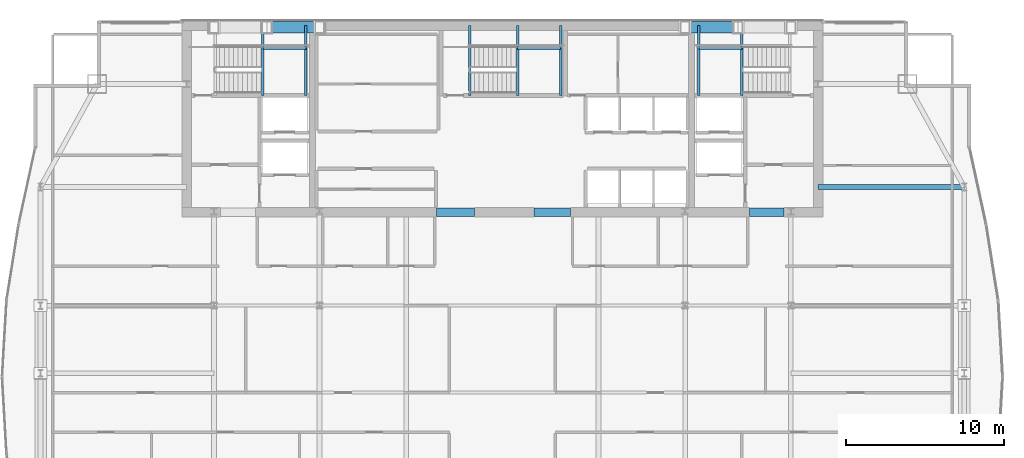
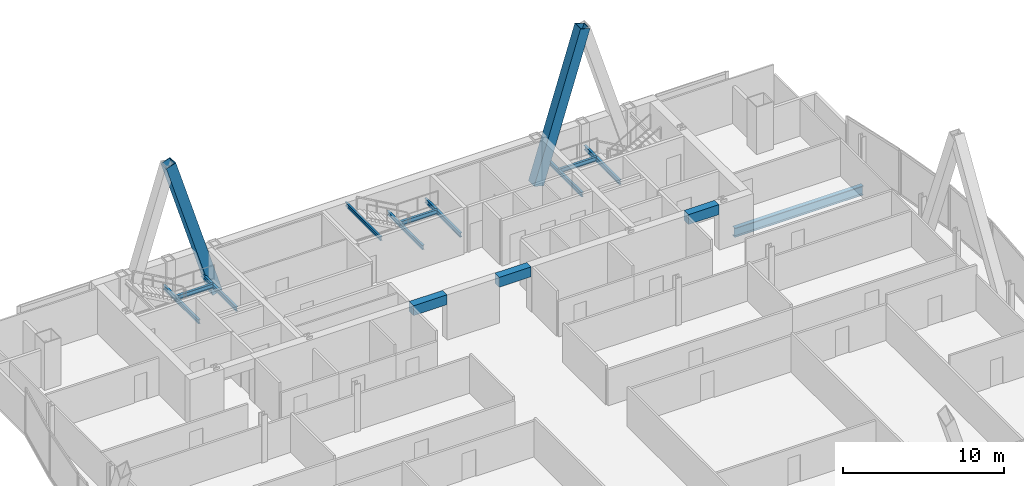
# One storey, part 24 of 33: 14 beams, 2 members.
"""IFC4 building model written with IfcOpenShell, lengths in metres."""

import ifcopenshell
import ifcopenshell.guid

model = None  # the IFC model being written
_history = None  # IfcOwnerHistory: only IFC2X3 demands one
_inside = {}  # id of a spatial element -> (the spatial element, [elements in it])
_under = {}  # id of a project, library or spatial element -> (it, [spatial elements below it])
_declared = {}  # id of a project -> (the project, [libraries it declares])
_typed = {}  # id of a type object -> (the type object, [elements of that type])
_made_of = {}  # id of a material, layer set ... -> (it, [elements and type objects made of it])


def new_model(schema):
    """Start an empty IFC model of exactly this schema.

    Asked for "IFC4X3", IfcOpenShell would pick the latest addendum, in which some entities
    have other attributes; the version numbers below select the first issue.
    IFC2X3 requires an IfcOwnerHistory on every rooted entity: one is made here for all.
    """
    global model, _history
    if schema == "IFC4X3":
        model = ifcopenshell.file(schema_version=(4, 3, 0, 0))
    else:
        model = ifcopenshell.file(schema=schema)
    _inside.clear()
    _under.clear()
    _declared.clear()
    _typed.clear()
    _made_of.clear()
    _history = None
    if model.schema == "IFC2X3":
        org = make("IfcOrganization", Name="unknown")
        user = make(
            "IfcPersonAndOrganization",
            ThePerson=make("IfcPerson", FamilyName="unknown"),
            TheOrganization=org,
        )
        app = make(
            "IfcApplication",
            ApplicationDeveloper=org,
            Version="unknown",
            ApplicationFullName="unknown",
            ApplicationIdentifier="unknown",
        )
        _history = make(
            "IfcOwnerHistory",
            OwningUser=user,
            OwningApplication=app,
            ChangeAction="ADDED",
            CreationDate=0,
        )
    return model


def make(cls, **values):
    """One entity of the class cls with the attributes given. An attribute that is None is left unset."""
    return model.create_entity(
        cls, **{name: value for name, value in values.items() if value is not None}
    )


def rooted(cls, **values):
    """An entity with a GlobalId (a new one), such as an element, a storey or a relation."""
    return make(cls, GlobalId=ifcopenshell.guid.new(), OwnerHistory=_history, **values)


def si_unit(unit_type, name, prefix=None):
    """IfcSIUnit, for example si_unit("LENGTHUNIT", "METRE", prefix="MILLI")."""
    return make("IfcSIUnit", UnitType=unit_type, Prefix=prefix, Name=name)


def assignment(units):
    """IfcUnitAssignment: the units of a project."""
    return None if units is None else make("IfcUnitAssignment", Units=units)


def point(xyz):
    """IfcCartesianPoint."""
    return None if xyz is None else make("IfcCartesianPoint", Coordinates=xyz)


def direction(xyz):
    """IfcDirection."""
    return None if xyz is None else make("IfcDirection", DirectionRatios=xyz)


def frame(location, z_axis=None, x_axis=None):
    """IfcAxis2Placement3D, a coordinate frame: its origin and axes. An axis left out is left unset."""
    return make(
        "IfcAxis2Placement3D",
        Location=point(location),
        Axis=direction(z_axis),
        RefDirection=direction(x_axis),
    )


def frame_2d(location, x_axis=None):
    """IfcAxis2Placement2D, a coordinate frame in the plane: its origin and x axis."""
    return make(
        "IfcAxis2Placement2D", Location=point(location), RefDirection=direction(x_axis)
    )


def origin():
    """The frame at (0, 0, 0) with its axes left unset."""
    return frame((0.0, 0.0, 0.0))


def origin_2d():
    """The frame at (0, 0) in the plane with its x axis left unset."""
    return frame_2d((0.0, 0.0))


def place(relative_to, where):
    """IfcLocalPlacement: puts the frame where relative to a parent placement (None: the world)."""
    return make(
        "IfcLocalPlacement", PlacementRelTo=relative_to, RelativePlacement=where
    )


def context(
    kind, dimensions, precision=None, world=None, true_north=None, identifier=None
):
    """IfcGeometricRepresentationContext, for example the 3D "Model" context."""
    return make(
        "IfcGeometricRepresentationContext",
        ContextIdentifier=identifier,
        ContextType=kind,
        CoordinateSpaceDimension=dimensions,
        Precision=precision,
        WorldCoordinateSystem=world,
        TrueNorth=true_north,
    )


def subcontext(parent, identifier, kind, view, scale=None):
    """IfcGeometricRepresentationSubContext, for example "Body" below "Model"."""
    return make(
        "IfcGeometricRepresentationSubContext",
        ContextIdentifier=identifier,
        ContextType=kind,
        ParentContext=parent,
        TargetScale=scale,
        TargetView=view,
    )


def project(units=None, contexts=None):
    """IfcProject with its units and contexts."""
    return rooted(
        "IfcProject",
        Name="project",
        RepresentationContexts=contexts,
        UnitsInContext=assignment(units),
    )


def spatial(cls, under=None, at=None, **own):
    """A site, building, storey or space (cls), placed at a placement, below another one or the project."""
    s = rooted(cls, ObjectPlacement=at, **own)
    if under is not None:
        _under.setdefault(under.id(), (under, []))[1].append(s)
    return s


def profile(cls, at=None, kind="AREA", **sizes):
    """A parametric profile (cls). Its sizes go by their IFC names, for example OverallWidth=200.0."""
    return make(cls, ProfileType=kind, Position=at, **sizes)


def rectangle(**sizes):
    """IfcRectangleProfileDef."""
    return profile("IfcRectangleProfileDef", **sizes)


def hollow_rectangle(**sizes):
    """IfcRectangleHollowProfileDef."""
    return profile("IfcRectangleHollowProfileDef", **sizes)


def i_section(**sizes):
    """IfcIShapeProfileDef."""
    return profile("IfcIShapeProfileDef", **sizes)


def extrude(swept, where, along, depth):
    """IfcExtrudedAreaSolid: the profile swept, set in the frame where, extruded along a direction by depth."""
    return make(
        "IfcExtrudedAreaSolid",
        SweptArea=swept,
        Position=where,
        ExtrudedDirection=direction(along),
        Depth=depth,
    )


def shape(context_of_items, identifier, shape_type, items):
    """IfcShapeRepresentation: the items that make up one representation, for example the "Body"."""
    return make(
        "IfcShapeRepresentation",
        ContextOfItems=context_of_items,
        RepresentationIdentifier=identifier,
        RepresentationType=shape_type,
        Items=items,
    )


def material(Name=None, Category=None):
    """IfcMaterial."""
    return make("IfcMaterial", Name=Name, Category=Category)


def material_profile(
    of_material, cross_section, Name=None, Category=None, Priority=None
):
    """IfcMaterialProfile: a cross section and its material."""
    return make(
        "IfcMaterialProfile",
        Name=Name,
        Material=of_material,
        Profile=cross_section,
        Priority=Priority,
        Category=Category,
    )


def profile_set(profiles, Name=None, composite=None):
    """IfcMaterialProfileSet."""
    return make(
        "IfcMaterialProfileSet",
        Name=Name,
        MaterialProfiles=profiles,
        CompositeProfile=composite,
    )


def made_of(thing, what):
    """Note that an element or type object is made of a material, layer set ...; save() writes the relation."""
    if what is not None:
        _made_of.setdefault(what.id(), (what, []))[1].append(thing)
    return thing


def type_object(cls, material=None, **own):
    """A type object (cls), such as IfcWallType, which elements share."""
    return made_of(rooted(cls, **own), material)


def element(
    cls,
    number,
    at=None,
    inside=None,
    cuts=None,
    type_object=None,
    material=None,
    context=None,
    identifier="Body",
    shape_type=None,
    held_by="IfcProductDefinitionShape",
    body=None,
    shapes=None,
    **own,
):
    """One element of the class cls, such as IfcWall. Its Tag is "e" and its number.

    at: its placement. inside: the storey or other place that contains it. cuts: it is an
    opening in that element (IfcRelVoidsElement). A single representation is given by context,
    identifier, shape_type and body (its items); several are given by shapes. held_by: the class
    of the entity that holds the representations. save() writes the other relations.
    """
    e = rooted(cls, Tag="e%d" % number, ObjectPlacement=at, **own)
    if body is not None:
        shapes = [shape(context, identifier, shape_type, body)]
    if shapes is not None:
        e.Representation = make(held_by, Representations=shapes)
    if inside is not None:
        _inside.setdefault(inside.id(), (inside, []))[1].append(e)
    if cuts is not None:
        rooted(
            "IfcRelVoidsElement", RelatingBuildingElement=cuts, RelatedOpeningElement=e
        )
    if type_object is not None:
        _typed.setdefault(type_object.id(), (type_object, []))[1].append(e)
    return made_of(e, material)


def aggregate(whole, parts):
    """IfcRelAggregates: a whole, such as a stair, and the parts it consists of."""
    return rooted("IfcRelAggregates", RelatingObject=whole, RelatedObjects=parts)


def save(model, path):
    """Write the relations noted so far, then the file.

    IfcRelAggregates (storeys below a building ...), IfcRelContainedInSpatialStructure (elements
    in a storey), IfcRelDefinesByType, IfcRelAssociatesMaterial and IfcRelDeclares: one each for
    every whole, place, type object, material and project.
    """
    for whole, parts in _under.values():
        aggregate(whole, parts)
    for where, things in _inside.values():
        rooted(
            "IfcRelContainedInSpatialStructure",
            RelatedElements=things,
            RelatingStructure=where,
        )
    for kind, things in _typed.values():
        rooted("IfcRelDefinesByType", RelatedObjects=things, RelatingType=kind)
    for what, things in _made_of.values():
        rooted("IfcRelAssociatesMaterial", RelatedObjects=things, RelatingMaterial=what)
    for by, libraries in _declared.values():
        rooted("IfcRelDeclares", RelatingContext=by, RelatedDefinitions=libraries)
    model.write(path)


model = new_model("IFC4")

# Units and contexts
model_context = context("Model", 3, precision=1e-05, world=origin(), true_north=direction((0.0, 1.0)))
body_context = subcontext(model_context, "Body", "Model", "MODEL_VIEW")
ifc_project = project(units=[si_unit("LENGTHUNIT", "METRE"), si_unit("AREAUNIT", "SQUARE_METRE"), si_unit("VOLUMEUNIT", "CUBIC_METRE"), si_unit("PLANEANGLEUNIT", "RADIAN"), si_unit("MASSUNIT", "GRAM", prefix="KILO")], contexts=[model_context])

# Site, building, storey
site_placement = place(None, origin())
site = spatial("IfcSite", under=ifc_project, at=site_placement, CompositionType="ELEMENT")
building_placement = place(site_placement, origin())
building = spatial("IfcBuilding", under=site, at=building_placement, Name="Khoronbel Lancet Exchange", CompositionType="ELEMENT")
storey_placement = place(building_placement, frame((0.0, 0.0, 210.199951171875)))
storey = spatial("IfcBuildingStorey", under=building, at=storey_placement, Name="L53", CompositionType="ELEMENT", Elevation=210.199951171875)

# Beams
ifc_material_1 = material(Name="Steel S355", Category="steel")
ifc_material_profile_1 = material_profile(ifc_material_1, i_section(OverallWidth=0.300048828125, OverallDepth=0.699951171875, WebThickness=0.01708984375, FlangeThickness=0.031982421875, at=origin_2d()), Name="HEB 700")
ifc_profile_set_1 = profile_set([ifc_material_profile_1], Name="Steel S355")
beam_type_1 = type_object("IfcBeamType", Name="BM-BG3", PredefinedType="BEAM", material=ifc_profile_set_1)
beam_1_placement = place(storey_placement, frame((56.39990234375, 43.199951171875, -0.510009765625), z_axis=(1.0, 0.0, 0.0), x_axis=(0.0, 1.0, 0.0)))
element("IfcBeam", 1, at=beam_1_placement, inside=storey, type_object=beam_type_1, Name="Level L53 east lens tie girder LG3E", PredefinedType="BEAM", context=body_context, shape_type="SweptSolid", body=[
    extrude(i_section(OverallWidth=0.300048828125, OverallDepth=0.699951171875, WebThickness=0.01708984375, FlangeThickness=0.031982421875, at=origin_2d()), origin(), (0.0, 0.0, 1.0), 9.22998046875),
])
ifc_material_profile_2 = material_profile(ifc_material_1, i_section(OverallWidth=0.159912109375, OverallDepth=0.330078125, WebThickness=0.007568359375, FlangeThickness=0.011474609375, at=origin_2d()), Name="IPE 330")
ifc_profile_set_2 = profile_set([ifc_material_profile_2], Name="Steel S355")
beam_type_2 = type_object("IfcBeamType", Name="BM-BJ7", PredefinedType="JOIST", material=ifc_profile_set_2)
for number, where, z_axis, x_axis, name in (
    (2, (21.320068359375, 48.97998046875, 1.43505859375), (0.0, 1.0, 0.0), (-1.0, 0.0, 0.0), "Level L53 stair ST1 landing bearer beam 1"),
    (3, (24.030029296875, 48.97998046875, 1.43505859375), (0.0, 1.0, 0.0), (-1.0, 0.0, 0.0), "Level L53 stair ST1 rear landing bearer beam 1"),
):
    element("IfcBeam", number, at=place(storey_placement, frame(where, z_axis=z_axis, x_axis=x_axis)), inside=storey, type_object=beam_type_2, Name=name, PredefinedType="JOIST", context=body_context, shape_type="SweptSolid", body=[
        extrude(i_section(OverallWidth=0.159912109375, OverallDepth=0.330078125, WebThickness=0.007568359375, FlangeThickness=0.011474609375, at=origin_2d()), origin(), (0.0, 0.0, 1.0), 4.419921875),
    ])
beam_2_placement = place(storey_placement, frame((21.320068359375, 51.97998046875, 1.43505859375), z_axis=(1.0, 0.0, 0.0), x_axis=(0.0, 1.0, 0.0)))
element("IfcBeam", 4, at=beam_2_placement, inside=storey, type_object=beam_type_2, Name="Level L53 stair ST1 landing cross trimmer beam 1", PredefinedType="JOIST", context=body_context, shape_type="SweptSolid", body=[
    extrude(i_section(OverallWidth=0.159912109375, OverallDepth=0.330078125, WebThickness=0.007568359375, FlangeThickness=0.011474609375, at=origin_2d()), origin(), (0.0, 0.0, 1.0), 2.7099609375),
])
for number, where, z_axis, x_axis, name in (
    (5, (51.580078125, 48.97998046875, 1.43505859375), (0.0, 1.0, 0.0), (-1.0, 0.0, 0.0), "Level L53 stair ST2 landing bearer beam 1"),
    (6, (48.8701171875, 48.97998046875, 1.43505859375), (0.0, 1.0, 0.0), (-1.0, 0.0, 0.0), "Level L53 stair ST2 rear landing bearer beam 1"),
):
    element("IfcBeam", number, at=place(storey_placement, frame(where, z_axis=z_axis, x_axis=x_axis)), inside=storey, type_object=beam_type_2, Name=name, PredefinedType="JOIST", context=body_context, shape_type="SweptSolid", body=[
        extrude(i_section(OverallWidth=0.159912109375, OverallDepth=0.330078125, WebThickness=0.007568359375, FlangeThickness=0.011474609375, at=origin_2d()), origin(), (0.0, 0.0, 1.0), 4.419921875),
    ])
beam_3_placement = place(storey_placement, frame((48.8701171875, 51.97998046875, 1.43505859375), z_axis=(1.0, 0.0, 0.0), x_axis=(0.0, 1.0, 0.0)))
element("IfcBeam", 7, at=beam_3_placement, inside=storey, type_object=beam_type_2, Name="Level L53 stair ST2 landing cross trimmer beam 1", PredefinedType="JOIST", context=body_context, shape_type="SweptSolid", body=[
    extrude(i_section(OverallWidth=0.159912109375, OverallDepth=0.330078125, WebThickness=0.007568359375, FlangeThickness=0.011474609375, at=origin_2d()), origin(), (0.0, 0.0, 1.0), 2.7099609375),
])
for number, where, z_axis, x_axis, name in (
    (8, (37.419921875, 48.97998046875, 1.43505859375), (0.0, 1.0, 0.0), (-1.0, 0.0, 0.0), "Level L53 stair ST3 landing bearer beam 1"),
    (9, (40.1298828125, 48.97998046875, 1.43505859375), (0.0, 1.0, 0.0), (-1.0, 0.0, 0.0), "Level L53 stair ST3 rear landing bearer beam 1"),
):
    element("IfcBeam", number, at=place(storey_placement, frame(where, z_axis=z_axis, x_axis=x_axis)), inside=storey, type_object=beam_type_2, Name=name, PredefinedType="JOIST", context=body_context, shape_type="SweptSolid", body=[
        extrude(i_section(OverallWidth=0.159912109375, OverallDepth=0.330078125, WebThickness=0.007568359375, FlangeThickness=0.011474609375, at=origin_2d()), origin(), (0.0, 0.0, 1.0), 4.419921875),
    ])
beam_4_placement = place(storey_placement, frame((37.419921875, 51.97998046875, 1.43505859375), z_axis=(1.0, 0.0, 0.0), x_axis=(0.0, 1.0, 0.0)))
element("IfcBeam", 10, at=beam_4_placement, inside=storey, type_object=beam_type_2, Name="Level L53 stair ST3 landing cross trimmer beam 1", PredefinedType="JOIST", context=body_context, shape_type="SweptSolid", body=[
    extrude(i_section(OverallWidth=0.159912109375, OverallDepth=0.330078125, WebThickness=0.007568359375, FlangeThickness=0.011474609375, at=origin_2d()), origin(), (0.0, 0.0, 1.0), 2.7099609375),
])
ifc_material_profile_3 = material_profile(ifc_material_1, i_section(OverallWidth=0.14990234375, OverallDepth=0.300048828125, WebThickness=0.007080078125, FlangeThickness=0.0107421875, at=origin_2d()), Name="IPE 300")
ifc_profile_set_3 = profile_set([ifc_material_profile_3], Name="Steel S355")
beam_type_3 = type_object("IfcBeamType", Name="BM-BJ8", PredefinedType="JOIST", material=ifc_profile_set_3)
beam_5_placement = place(storey_placement, frame((34.39990234375, 48.97998046875, 3.16015625), z_axis=(0.0, 1.0, 0.0), x_axis=(-1.0, 0.0, 0.0)))
element("IfcBeam", 11, at=beam_5_placement, inside=storey, type_object=beam_type_3, Name="Level L53 stair ST3 upper-flight arrival trimmer beam", PredefinedType="JOIST", context=body_context, shape_type="SweptSolid", body=[
    extrude(i_section(OverallWidth=0.14990234375, OverallDepth=0.300048828125, WebThickness=0.007080078125, FlangeThickness=0.0107421875, at=origin_2d()), origin(), (0.0, 0.0, 1.0), 4.419921875),
])
ifc_material_2 = material(Name="Concrete C60/75", Category="concrete")
ifc_material_profile_4 = material_profile(ifc_material_2, rectangle(XDim=0.550048828125, YDim=0.75, at=origin_2d()), Name="RC 550x750")
ifc_profile_set_4 = profile_set([ifc_material_profile_4], Name="Concrete C60/75")
beam_type_4 = type_object("IfcBeamType", Name="BM-BL2", PredefinedType="LINTEL", material=ifc_profile_set_4)
beam_6_placement = place(storey_placement, frame((32.300048828125, 41.60009765625, 3.06494140625), z_axis=(1.0, 0.0, 0.0), x_axis=(0.0, 1.0, 0.0)))
element("IfcBeam", 12, at=beam_6_placement, inside=storey, type_object=beam_type_4, Name="Level L53 rear core coupling lintel L2", PredefinedType="LINTEL", context=body_context, shape_type="SweptSolid", body=[
    extrude(rectangle(XDim=0.550048828125, YDim=0.75, at=origin_2d()), origin(), (0.0, 0.0, 1.0), 2.39990234375),
])
beam_7_placement = place(storey_placement, frame((38.449951171875, 41.60009765625, 3.06494140625), z_axis=(1.0, 0.0, 0.0), x_axis=(0.0, 1.0, 0.0)))
element("IfcBeam", 13, at=beam_7_placement, inside=storey, type_object=beam_type_4, Name="Level L53 rear core coupling lintel L3", PredefinedType="LINTEL", context=body_context, shape_type="SweptSolid", body=[
    extrude(rectangle(XDim=0.550048828125, YDim=0.75, at=origin_2d()), origin(), (0.0, 0.0, 1.0), 2.300048828125),
])
beam_8_placement = place(storey_placement, frame((52.050048828125, 41.60009765625, 3.06494140625), z_axis=(1.0, 0.0, 0.0), x_axis=(0.0, 1.0, 0.0)))
element("IfcBeam", 14, at=beam_8_placement, inside=storey, type_object=beam_type_4, Name="Level L53 rear core coupling lintel L4", PredefinedType="LINTEL", context=body_context, shape_type="SweptSolid", body=[
    extrude(rectangle(XDim=0.550048828125, YDim=0.75, at=origin_2d()), origin(), (0.0, 0.0, 1.0), 2.199951171875),
])

# Members
ifc_material_3 = material(Name="Steel S460", Category="steel")
ifc_material_profile_5 = material_profile(ifc_material_3, hollow_rectangle(XDim=0.719970703125, YDim=0.719970703125, WallThickness=0.050048828125, at=origin_2d()), Name="BOX 720x720x50")
ifc_profile_set_5 = profile_set([ifc_material_profile_5], Name="Steel S460")
member_type = type_object("IfcMemberType", Name="MEM-MB2", PredefinedType="BRACE", material=ifc_profile_set_5)
for number, where, z_axis, x_axis, name in (
    (15, (24.89990234375, 53.280029296875, 0.0), (-0.295242108906, 0.0, 0.955422470496), (0.0, -1.0, 0.0), "Perimeter lancet brace tier 18 N-W-R"),
    (16, (48.0, 53.280029296875, 0.0), (0.295242108906, 0.0, 0.955422470496), (0.0, 1.0, 0.0), "Perimeter lancet brace tier 18 N-E-L"),
):
    element("IfcMember", number, at=place(storey_placement, frame(where, z_axis=z_axis, x_axis=x_axis)), inside=storey, type_object=member_type, Name=name, PredefinedType="BRACE", context=body_context, shape_type="SweptSolid", body=[
        extrude(hollow_rectangle(XDim=0.719970703125, YDim=0.719970703125, WallThickness=0.050048828125, at=origin_2d()), origin(), (0.0, 0.0, 1.0), 11.303955078125),
    ])

save(model, "model.ifc")
